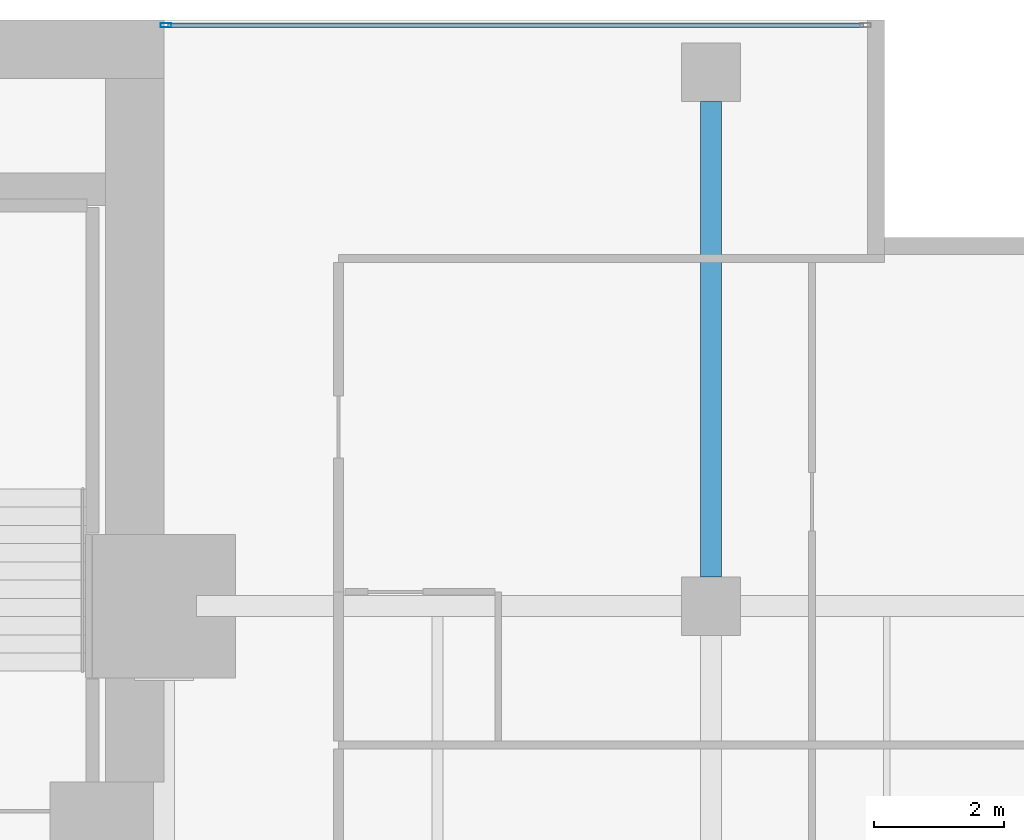
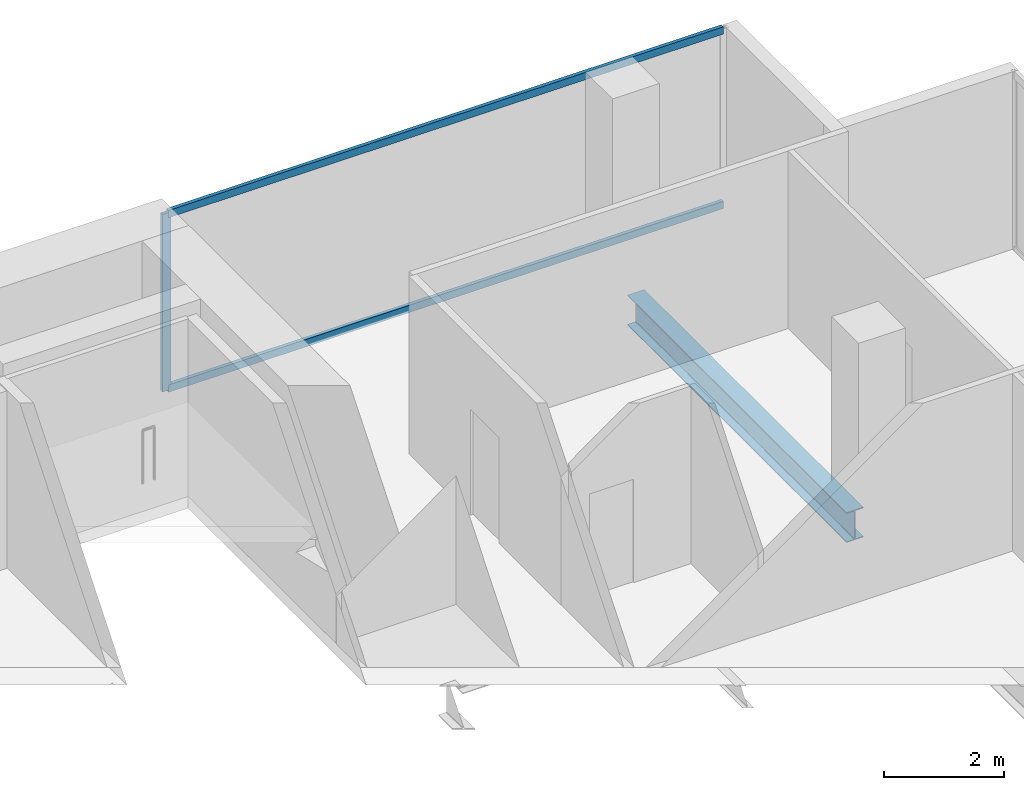
# One storey, part 30 of 40: 3 members, 1 beam, 1 element without a shape of its own.
"""IFC4 building model written with IfcOpenShell, lengths in metres."""

from ifc_helpers import new_model, si_unit, direction, frame, origin, origin_2d, place, context, subcontext, project, spatial, hollow_rectangle, i_section, extrude, material, layer, layer_set, material_profile, profile_set, type_object, element, aggregate, save


model = new_model("IFC4")

# Units and contexts
model_context = context("Model", 3, precision=1e-05, world=origin(), true_north=direction((0.0, 1.0)))
body_context = subcontext(model_context, "Body", "Model", "MODEL_VIEW")
ifc_project = project(units=[si_unit("LENGTHUNIT", "METRE"), si_unit("AREAUNIT", "SQUARE_METRE"), si_unit("VOLUMEUNIT", "CUBIC_METRE"), si_unit("PLANEANGLEUNIT", "RADIAN"), si_unit("MASSUNIT", "GRAM", prefix="KILO")], contexts=[model_context])

# Site, building, storey
site_placement = place(None, origin())
site = spatial("IfcSite", under=ifc_project, at=site_placement, CompositionType="ELEMENT")
building_placement = place(site_placement, origin())
building = spatial("IfcBuilding", under=site, at=building_placement, Name="Maruvema Waterfront Hotel and Observation Tower", CompositionType="ELEMENT")
storey_placement = place(building_placement, frame((0.0, 0.0, 103.949951171875)))
storey = spatial("IfcBuildingStorey", under=building, at=storey_placement, Name="L25", CompositionType="ELEMENT", Elevation=103.949951171875)

# Curtain wall, members
ifc_material_1 = material(Name="Anodised bronze aluminium and solar-control low-E IGU", Category="aluminium")
ifc_layer = layer(ifc_material_1, 0.159912109375, Name="Zone 1 Bronze Inner Thermal Curtain Wall System CW-02")
ifc_layer_set = layer_set([ifc_layer], Name="Anodised bronze aluminium and solar-control low-E IGU")
curtain_wall_type = type_object("IfcCurtainWallType", Name="Zone 1 Bronze Inner Thermal Curtain Wall System CW-02", PredefinedType="USERDEFINED", material=ifc_layer_set)
curtain_wall_placement = place(storey_placement, origin())
curtain_wall = element("IfcCurtainWall", 1, at=curtain_wall_placement, inside=storey, type_object=curtain_wall_type, Name="L25 Curtain Wall CW-L25-NE", ObjectType="UNITISED CURTAIN WALL", PredefinedType="USERDEFINED")
ifc_material_2 = material(Name="Anodised architectural bronze aluminium", Category="aluminium")
ifc_material_profile_1 = material_profile(ifc_material_2, hollow_rectangle(XDim=0.070068359375, YDim=0.14990234375, WallThickness=0.00390625, at=origin_2d()), Name="ALU-T70x150")
ifc_profile_set_1 = profile_set([ifc_material_profile_1], Name="Anodised architectural bronze aluminium")
member_type_1 = type_object("IfcMemberType", Name="Curtain Wall Horizontal Transom ALU-T70x150", PredefinedType="USERDEFINED", material=ifc_profile_set_1)
member_1_placement = place(storey_placement, frame((61.139892578125, 53.919921875, 0.030029296875), z_axis=(-1.0, 0.0, 0.0), x_axis=(0.0, -1.0, 0.0)))
member_1 = element("IfcMember", 2, at=member_1_placement, type_object=member_type_1, Name="CW-02 transom 1.1", ObjectType="TRANSOM", PredefinedType="USERDEFINED", context=body_context, shape_type="SweptSolid", body=[
    extrude(hollow_rectangle(XDim=0.070068359375, YDim=0.14990234375, WallThickness=0.00390625, at=origin_2d()), origin(), (0.0, 0.0, 1.0), 10.679931640625),
])
member_2_placement = place(storey_placement, frame((61.139892578125, 53.919921875, 3.580078125), z_axis=(-1.0, 0.0, 0.0), x_axis=(0.0, -1.0, 0.0)))
member_2 = element("IfcMember", 3, at=member_2_placement, type_object=member_type_1, Name="CW-02 transom 1.2", ObjectType="TRANSOM", PredefinedType="USERDEFINED", context=body_context, shape_type="SweptSolid", body=[
    extrude(hollow_rectangle(XDim=0.070068359375, YDim=0.14990234375, WallThickness=0.00390625, at=origin_2d()), origin(), (0.0, 0.0, 1.0), 10.679931640625),
])
ifc_material_3 = material(Name="Anodised architectural bronze aluminium", Category="aluminium")
ifc_material_profile_2 = material_profile(ifc_material_3, hollow_rectangle(XDim=0.06494140625, YDim=0.1650390625, WallThickness=0.00390625, at=origin_2d()), Name="ALU-M65x165")
ifc_profile_set_2 = profile_set([ifc_material_profile_2], Name="Anodised architectural bronze aluminium")
member_type_2 = type_object("IfcMemberType", Name="Curtain Wall Primary Mullion ALU-M65x165", PredefinedType="MULLION", material=ifc_profile_set_2)
member_3_placement = place(storey_placement, frame((50.429931640625, 53.919921875, 0.0), z_axis=(0.0, 0.0, 1.0), x_axis=(0.0, -1.0, 0.0)))
member_3 = element("IfcMember", 4, at=member_3_placement, type_object=member_type_2, Name="CW-02 mullion 2", PredefinedType="MULLION", context=body_context, shape_type="SweptSolid", body=[
    extrude(hollow_rectangle(XDim=0.06494140625, YDim=0.1650390625, WallThickness=0.00390625, at=origin_2d()), origin(), (0.0, 0.0, 1.0), 3.610107421875),
])
aggregate(curtain_wall, [member_3, member_1, member_2])

# Beam
ifc_material_4 = material(Name="Steel ASTM A572 Grade 50", Category="steel")
ifc_material_profile_3 = material_profile(ifc_material_4, i_section(OverallWidth=0.323974609375, OverallDepth=0.611083984375, WebThickness=0.0126953125, FlangeThickness=0.01904296875, FilletRadius=0.01806640625, at=origin_2d()), Name="W610x155.0")
ifc_profile_set_3 = profile_set([ifc_material_profile_3], Name="Steel ASTM A572 Grade 50")
beam_type = type_object("IfcBeamType", Name="Primary Floor Girder W610x155.0", PredefinedType="BEAM", material=ifc_profile_set_3)
beam_placement = place(storey_placement, frame((58.800048828125, 45.449951171875, -0.54541015625), z_axis=(0.0, 1.0, 0.0), x_axis=(-1.0, 0.0, 0.0)))
element("IfcBeam", 5, at=beam_placement, inside=storey, type_object=beam_type, Name="L25 Floor Girder NS-32", PredefinedType="BEAM", context=body_context, shape_type="SweptSolid", body=[
    extrude(i_section(OverallWidth=0.323974609375, OverallDepth=0.611083984375, WebThickness=0.0126953125, FlangeThickness=0.01904296875, FilletRadius=0.01806640625, at=origin_2d()), origin(), (0.0, 0.0, 1.0), 7.300048828125),
])

save(model, "model.ifc")
